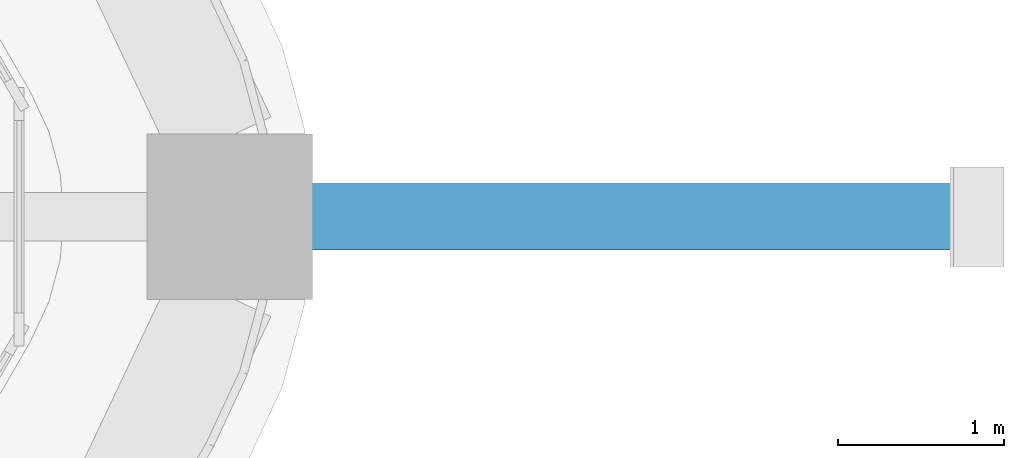
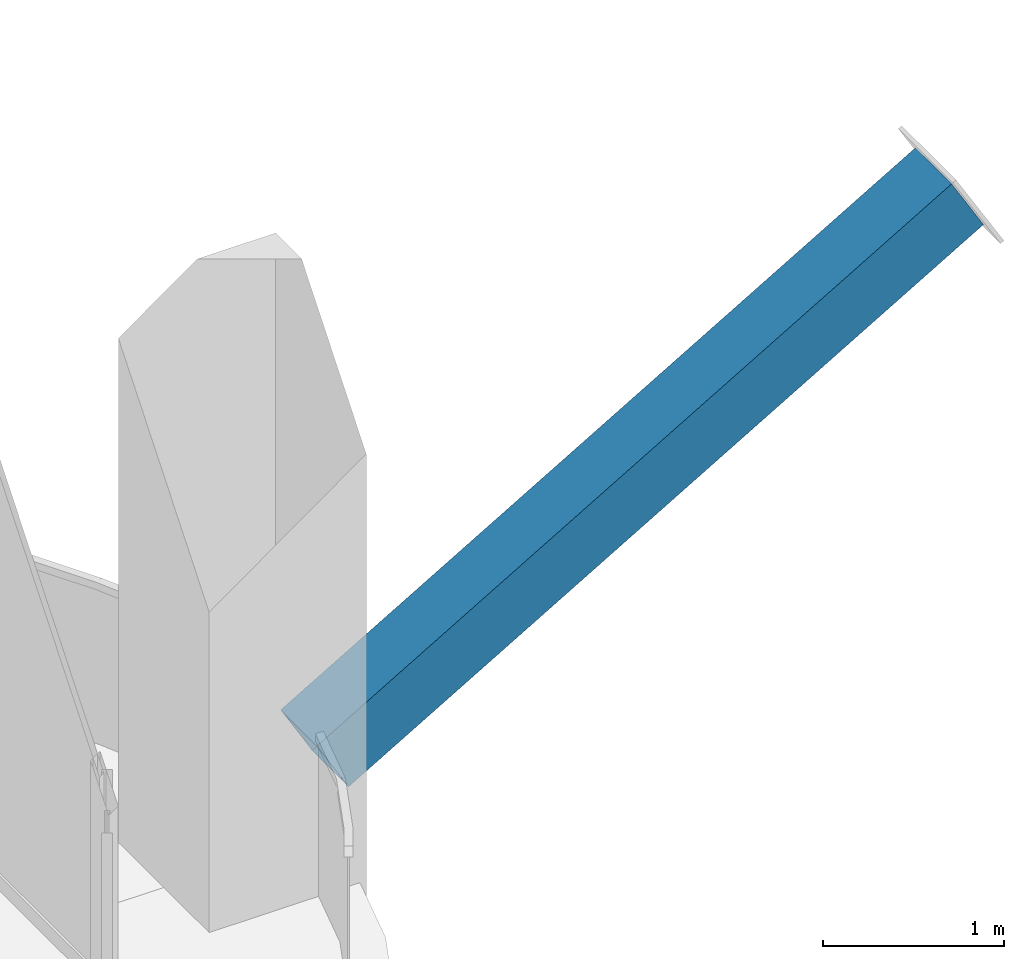
# One storey, part 5 of 16: 1 member.
"""IFC4 building model written with IfcOpenShell, lengths in metres."""

from ifc_helpers import new_model, si_unit, direction, frame, origin, origin_2d, place, context, subcontext, project, spatial, hollow_rectangle, extrude, material, material_profile, profile_set, type_object, element, save


model = new_model("IFC4")

# Units and contexts
model_context = context("Model", 3, precision=1e-05, world=origin(), true_north=direction((0.0, 1.0)))
body_context = subcontext(model_context, "Body", "Model", "MODEL_VIEW")
ifc_project = project(units=[si_unit("LENGTHUNIT", "METRE"), si_unit("AREAUNIT", "SQUARE_METRE"), si_unit("VOLUMEUNIT", "CUBIC_METRE"), si_unit("PLANEANGLEUNIT", "RADIAN"), si_unit("MASSUNIT", "GRAM", prefix="KILO")], contexts=[model_context])

# Site, building, storey
site_placement = place(None, origin())
site = spatial("IfcSite", under=ifc_project, at=site_placement, CompositionType="ELEMENT")
building_placement = place(site_placement, origin())
building = spatial("IfcBuilding", under=site, at=building_placement, Name="Kolab Exchange Tower", CompositionType="ELEMENT")
storey_placement = place(building_placement, frame((0.0, 0.0, 162.199951171875)))
storey = spatial("IfcBuildingStorey", under=building, at=storey_placement, Name="L33", CompositionType="ELEMENT", Elevation=162.199951171875)

# Member
ifc_material = material(Name="Steel S355", Category="steel")
ifc_material_profile = material_profile(ifc_material, hollow_rectangle(XDim=0.39990234375, YDim=0.39990234375, WallThickness=0.02001953125, at=origin_2d()), Name="HSS400X400X20")
ifc_profile_set = profile_set([ifc_material_profile], Name="Steel S355")
member_type = type_object("IfcMemberType", Name="LEDGE STRUT HSS400X400X20", PredefinedType="STRUT", material=ifc_profile_set)
member_placement = place(storey_placement, frame((28.2958984375, 0.0, 0.60009765625), z_axis=(0.862733263065, 0.0, 0.505659289247), x_axis=(0.0, 1.0, 0.0)))
element("IfcMember", 1, at=member_placement, inside=storey, type_object=member_type, Name="mem/L33/ledge/strut-6", PredefinedType="STRUT", context=body_context, shape_type="SweptSolid", body=[
    extrude(hollow_rectangle(XDim=0.39990234375, YDim=0.39990234375, WallThickness=0.02001953125, at=origin_2d()), origin(), (0.0, 0.0, 1.0), 4.682861328125),
])

save(model, "model.ifc")
